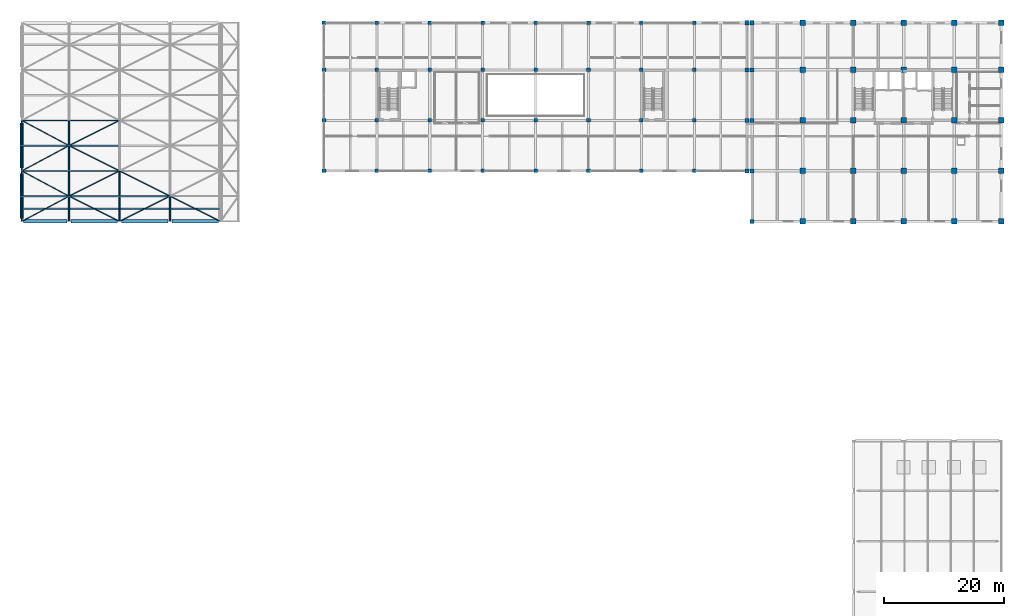
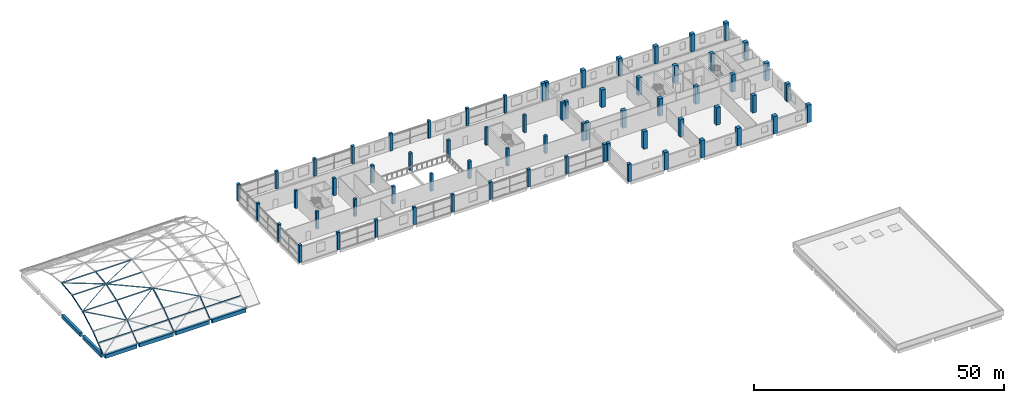
# One storey, part 1 of 38: 66 columns, 21 beams, 20 members.
"""IFC4 building model written with IfcOpenShell, lengths in metres."""

from ifc_helpers import new_model, si_unit, direction, frame, origin, origin_2d, place, context, subcontext, project, spatial, rectangle, hollow_rectangle, hollow_circle, i_section, extrude, material, material_profile, profile_set, type_object, element, save


model = new_model("IFC4")

# Units and contexts
model_context = context("Model", 3, precision=1e-05, world=origin(), true_north=direction((0.0, 1.0)))
body_context = subcontext(model_context, "Body", "Model", "MODEL_VIEW")
ifc_project = project(units=[si_unit("LENGTHUNIT", "METRE"), si_unit("AREAUNIT", "SQUARE_METRE"), si_unit("VOLUMEUNIT", "CUBIC_METRE"), si_unit("PLANEANGLEUNIT", "RADIAN"), si_unit("MASSUNIT", "GRAM", prefix="KILO")], contexts=[model_context])

# Site, building, storey
site_placement = place(None, origin())
site = spatial("IfcSite", under=ifc_project, at=site_placement, CompositionType="ELEMENT")
building_placement = place(site_placement, origin())
building = spatial("IfcBuilding", under=site, at=building_placement, Name="Brinegate Botanical Conservatory", CompositionType="ELEMENT")
storey_placement = place(building_placement, frame((0.0, 0.0, 10.199951171875)))
storey = spatial("IfcBuildingStorey", under=building, at=storey_placement, Name="L03", CompositionType="ELEMENT", Elevation=10.199951171875)

# Columns
ifc_material_1 = material(Name="Concrete C50/60", Category="concrete")
ifc_material_profile_1 = material_profile(ifc_material_1, rectangle(XDim=0.699951171875, YDim=0.699951171875, at=origin_2d()), Name="RC COL 700x700")
ifc_profile_set_1 = profile_set([ifc_material_profile_1], Name="Concrete C50/60")
column_type_1 = type_object("IfcColumnType", Name="Col_C-JT", PredefinedType="COLUMN", material=ifc_profile_set_1)
for number, where, z_axis, x_axis, name in (
    (1, (121.14990234375, 86.800048828125, 0.0), (0.0, 0.0, 1.0), (1.0, 0.0, 0.0), "Column C-JT L03 L-15"),
    (2, (121.14990234375, 95.199951171875, 0.0), (0.0, 0.0, 1.0), (1.0, 0.0, 0.0), "Column C-JT L03 M-15"),
    (3, (121.14990234375, 103.60009765625, 0.0), (0.0, 0.0, 1.0), (1.0, 0.0, 0.0), "Column C-JT L03 N-15"),
    (4, (121.14990234375, 111.449951171875, 0.0), (0.0, 0.0, 1.0), (1.0, 0.0, 0.0), "Column C-JT L03 P-15"),
    (5, (122.0, 78.39990234375, 0.0), (0.0, 0.0, 1.0), (1.0, 0.0, 0.0), "Column C-JT L03 K-16"),
    (6, (122.0, 86.800048828125, 0.0), (0.0, 0.0, 1.0), (1.0, 0.0, 0.0), "Column C-JT L03 L-16"),
    (7, (122.0, 95.199951171875, 0.0), (0.0, 0.0, 1.0), (1.0, 0.0, 0.0), "Column C-JT L03 M-16"),
    (8, (122.0, 103.60009765625, 0.0), (0.0, 0.0, 1.0), (1.0, 0.0, 0.0), "Column C-JT L03 N-16"),
    (9, (122.0, 111.449951171875, 0.0), (0.0, 0.0, 1.0), (1.0, 0.0, 0.0), "Column C-JT L03 P-16"),
):
    element("IfcColumn", number, at=place(storey_placement, frame(where, z_axis=z_axis, x_axis=x_axis)), inside=storey, type_object=column_type_1, Name=name, PredefinedType="COLUMN", context=body_context, shape_type="SweptSolid", body=[
        extrude(rectangle(XDim=0.699951171875, YDim=0.699951171875, at=origin_2d()), origin(), (0.0, 0.0, 1.0), 4.260009765625),
    ])
ifc_material_profile_2 = material_profile(ifc_material_1, rectangle(XDim=0.89990234375, YDim=0.89990234375, at=origin_2d()), Name="RC COL 900x900")
ifc_profile_set_2 = profile_set([ifc_material_profile_2], Name="Concrete C50/60")
column_type_2 = type_object("IfcColumnType", Name="Col_C-T2", PredefinedType="COLUMN", material=ifc_profile_set_2)
for number, where, z_axis, x_axis, name in (
    (10, (130.39990234375, 78.39990234375, 0.0), (0.0, 0.0, 1.0), (1.0, 0.0, 0.0), "Column C-T2 L03 K-17"),
    (11, (130.39990234375, 86.800048828125, 0.0), (0.0, 0.0, 1.0), (1.0, 0.0, 0.0), "Column C-T2 L03 L-17"),
    (12, (130.39990234375, 95.199951171875, 0.0), (0.0, 0.0, 1.0), (1.0, 0.0, 0.0), "Column C-T2 L03 M-17"),
    (13, (130.39990234375, 103.60009765625, 0.0), (0.0, 0.0, 1.0), (1.0, 0.0, 0.0), "Column C-T2 L03 N-17"),
    (14, (130.39990234375, 111.449951171875, 0.0), (0.0, 0.0, 1.0), (1.0, 0.0, 0.0), "Column C-T2 L03 P-17"),
    (15, (138.800048828125, 78.39990234375, 0.0), (0.0, 0.0, 1.0), (1.0, 0.0, 0.0), "Column C-T2 L03 K-18"),
    (16, (138.800048828125, 86.800048828125, 0.0), (0.0, 0.0, 1.0), (1.0, 0.0, 0.0), "Column C-T2 L03 L-18"),
    (17, (138.800048828125, 95.199951171875, 0.0), (0.0, 0.0, 1.0), (1.0, 0.0, 0.0), "Column C-T2 L03 M-18"),
    (18, (138.800048828125, 103.60009765625, 0.0), (0.0, 0.0, 1.0), (1.0, 0.0, 0.0), "Column C-T2 L03 N-18"),
    (19, (138.800048828125, 111.449951171875, 0.0), (0.0, 0.0, 1.0), (1.0, 0.0, 0.0), "Column C-T2 L03 P-18"),
    (20, (147.199951171875, 78.39990234375, 0.0), (0.0, 0.0, 1.0), (1.0, 0.0, 0.0), "Column C-T2 L03 K-19"),
    (21, (147.199951171875, 86.800048828125, 0.0), (0.0, 0.0, 1.0), (1.0, 0.0, 0.0), "Column C-T2 L03 L-19"),
    (22, (147.199951171875, 95.199951171875, 0.0), (0.0, 0.0, 1.0), (1.0, 0.0, 0.0), "Column C-T2 L03 M-19"),
    (23, (147.199951171875, 103.60009765625, 0.0), (0.0, 0.0, 1.0), (1.0, 0.0, 0.0), "Column C-T2 L03 N-19"),
    (24, (147.199951171875, 111.449951171875, 0.0), (0.0, 0.0, 1.0), (1.0, 0.0, 0.0), "Column C-T2 L03 P-19"),
    (25, (155.60009765625, 78.39990234375, 0.0), (0.0, 0.0, 1.0), (1.0, 0.0, 0.0), "Column C-T2 L03 K-20"),
    (26, (155.60009765625, 86.800048828125, 0.0), (0.0, 0.0, 1.0), (1.0, 0.0, 0.0), "Column C-T2 L03 L-20"),
    (27, (155.60009765625, 95.199951171875, 0.0), (0.0, 0.0, 1.0), (1.0, 0.0, 0.0), "Column C-T2 L03 M-20"),
    (28, (155.60009765625, 103.60009765625, 0.0), (0.0, 0.0, 1.0), (1.0, 0.0, 0.0), "Column C-T2 L03 N-20"),
    (29, (155.60009765625, 111.449951171875, 0.0), (0.0, 0.0, 1.0), (1.0, 0.0, 0.0), "Column C-T2 L03 P-20"),
    (30, (163.449951171875, 78.39990234375, 0.0), (0.0, 0.0, 1.0), (1.0, 0.0, 0.0), "Column C-T2 L03 K-21"),
    (31, (163.449951171875, 86.800048828125, 0.0), (0.0, 0.0, 1.0), (1.0, 0.0, 0.0), "Column C-T2 L03 L-21"),
    (32, (163.449951171875, 95.199951171875, 0.0), (0.0, 0.0, 1.0), (1.0, 0.0, 0.0), "Column C-T2 L03 M-21"),
    (33, (163.449951171875, 103.60009765625, 0.0), (0.0, 0.0, 1.0), (1.0, 0.0, 0.0), "Column C-T2 L03 N-21"),
    (34, (163.449951171875, 111.449951171875, 0.0), (0.0, 0.0, 1.0), (1.0, 0.0, 0.0), "Column C-T2 L03 P-21"),
):
    element("IfcColumn", number, at=place(storey_placement, frame(where, z_axis=z_axis, x_axis=x_axis)), inside=storey, type_object=column_type_2, Name=name, PredefinedType="COLUMN", context=body_context, shape_type="SweptSolid", body=[
        extrude(rectangle(XDim=0.89990234375, YDim=0.89990234375, at=origin_2d()), origin(), (0.0, 0.0, 1.0), 4.260009765625),
    ])
ifc_material_2 = material(Name="Concrete C40/50", Category="concrete")
ifc_material_profile_3 = material_profile(ifc_material_2, rectangle(XDim=0.60009765625, YDim=0.60009765625, at=origin_2d()), Name="RC COL 600x600")
ifc_profile_set_3 = profile_set([ifc_material_profile_3], Name="Concrete C40/50")
column_type_3 = type_object("IfcColumnType", Name="Col_C-W2", PredefinedType="COLUMN", material=ifc_profile_set_3)
for number, where, z_axis, x_axis, name in (
    (35, (50.800048828125, 86.800048828125, 0.0), (0.0, 0.0, 1.0), (1.0, 0.0, 0.0), "Column C-W2 L03 L-7"),
    (36, (50.800048828125, 95.199951171875, 0.0), (0.0, 0.0, 1.0), (1.0, 0.0, 0.0), "Column C-W2 L03 M-7"),
    (37, (50.800048828125, 103.60009765625, 0.0), (0.0, 0.0, 1.0), (1.0, 0.0, 0.0), "Column C-W2 L03 N-7"),
    (38, (50.800048828125, 111.449951171875, 0.0), (0.0, 0.0, 1.0), (1.0, 0.0, 0.0), "Column C-W2 L03 P-7"),
    (39, (59.60009765625, 86.800048828125, 0.0), (0.0, 0.0, 1.0), (1.0, 0.0, 0.0), "Column C-W2 L03 L-8"),
    (40, (59.60009765625, 95.199951171875, 0.0), (0.0, 0.0, 1.0), (1.0, 0.0, 0.0), "Column C-W2 L03 M-8"),
    (41, (59.60009765625, 103.60009765625, 0.0), (0.0, 0.0, 1.0), (1.0, 0.0, 0.0), "Column C-W2 L03 N-8"),
    (42, (59.60009765625, 111.449951171875, 0.0), (0.0, 0.0, 1.0), (1.0, 0.0, 0.0), "Column C-W2 L03 P-8"),
    (43, (68.39990234375, 86.800048828125, 0.0), (0.0, 0.0, 1.0), (1.0, 0.0, 0.0), "Column C-W2 L03 L-9"),
    (44, (68.39990234375, 95.199951171875, 0.0), (0.0, 0.0, 1.0), (1.0, 0.0, 0.0), "Column C-W2 L03 M-9"),
    (45, (68.39990234375, 103.60009765625, 0.0), (0.0, 0.0, 1.0), (1.0, 0.0, 0.0), "Column C-W2 L03 N-9"),
    (46, (68.39990234375, 111.449951171875, 0.0), (0.0, 0.0, 1.0), (1.0, 0.0, 0.0), "Column C-W2 L03 P-9"),
    (47, (77.199951171875, 86.800048828125, 0.0), (0.0, 0.0, 1.0), (1.0, 0.0, 0.0), "Column C-W2 L03 L-10"),
    (48, (77.199951171875, 95.199951171875, 0.0), (0.0, 0.0, 1.0), (1.0, 0.0, 0.0), "Column C-W2 L03 M-10"),
    (49, (77.199951171875, 103.60009765625, 0.0), (0.0, 0.0, 1.0), (1.0, 0.0, 0.0), "Column C-W2 L03 N-10"),
    (50, (77.199951171875, 111.449951171875, 0.0), (0.0, 0.0, 1.0), (1.0, 0.0, 0.0), "Column C-W2 L03 P-10"),
    (51, (86.0, 86.800048828125, 0.0), (0.0, 0.0, 1.0), (1.0, 0.0, 0.0), "Column C-W2 L03 L-11"),
    (52, (86.0, 95.199951171875, 0.0), (0.0, 0.0, 1.0), (1.0, 0.0, 0.0), "Column C-W2 L03 M-11"),
    (53, (86.0, 103.60009765625, 0.0), (0.0, 0.0, 1.0), (1.0, 0.0, 0.0), "Column C-W2 L03 N-11"),
    (54, (86.0, 111.449951171875, 0.0), (0.0, 0.0, 1.0), (1.0, 0.0, 0.0), "Column C-W2 L03 P-11"),
    (55, (94.800048828125, 86.800048828125, 0.0), (0.0, 0.0, 1.0), (1.0, 0.0, 0.0), "Column C-W2 L03 L-12"),
    (56, (94.800048828125, 95.199951171875, 0.0), (0.0, 0.0, 1.0), (1.0, 0.0, 0.0), "Column C-W2 L03 M-12"),
    (57, (94.800048828125, 103.60009765625, 0.0), (0.0, 0.0, 1.0), (1.0, 0.0, 0.0), "Column C-W2 L03 N-12"),
    (58, (94.800048828125, 111.449951171875, 0.0), (0.0, 0.0, 1.0), (1.0, 0.0, 0.0), "Column C-W2 L03 P-12"),
    (59, (103.60009765625, 86.800048828125, 0.0), (0.0, 0.0, 1.0), (1.0, 0.0, 0.0), "Column C-W2 L03 L-13"),
    (60, (103.60009765625, 95.199951171875, 0.0), (0.0, 0.0, 1.0), (1.0, 0.0, 0.0), "Column C-W2 L03 M-13"),
    (61, (103.60009765625, 103.60009765625, 0.0), (0.0, 0.0, 1.0), (1.0, 0.0, 0.0), "Column C-W2 L03 N-13"),
    (62, (103.60009765625, 111.449951171875, 0.0), (0.0, 0.0, 1.0), (1.0, 0.0, 0.0), "Column C-W2 L03 P-13"),
    (63, (112.39990234375, 86.800048828125, 0.0), (0.0, 0.0, 1.0), (1.0, 0.0, 0.0), "Column C-W2 L03 L-14"),
    (64, (112.39990234375, 95.199951171875, 0.0), (0.0, 0.0, 1.0), (1.0, 0.0, 0.0), "Column C-W2 L03 M-14"),
    (65, (112.39990234375, 103.60009765625, 0.0), (0.0, 0.0, 1.0), (1.0, 0.0, 0.0), "Column C-W2 L03 N-14"),
    (66, (112.39990234375, 111.449951171875, 0.0), (0.0, 0.0, 1.0), (1.0, 0.0, 0.0), "Column C-W2 L03 P-14"),
):
    element("IfcColumn", number, at=place(storey_placement, frame(where, z_axis=z_axis, x_axis=x_axis)), inside=storey, type_object=column_type_3, Name=name, PredefinedType="COLUMN", context=body_context, shape_type="SweptSolid", body=[
        extrude(rectangle(XDim=0.60009765625, YDim=0.60009765625, at=origin_2d()), origin(), (0.0, 0.0, 1.0), 4.260009765625),
    ])

# Beams
ifc_material_3 = material(Name="Structural steel Q355B / S355", Category="steel")
ifc_material_profile_4 = material_profile(ifc_material_3, hollow_circle(Radius=0.16259765625, WallThickness=0.013916015625, at=origin_2d()), Name="CHS 325x14")
ifc_profile_set_4 = profile_set([ifc_material_profile_4], Name="Structural steel Q355B / S355")
beam_type_1 = type_object("IfcBeamType", Name="Beam_GA-01", PredefinedType="BEAM", material=ifc_profile_set_4)
beam_1_placement = place(storey_placement, frame((8.39990234375, 78.39990234375, -0.162353515625), z_axis=(0.0, 0.788060484475, 0.615597817418), x_axis=(-1.0, 0.0, 0.0)))
element("IfcBeam", 67, at=beam_1_placement, inside=storey, type_object=beam_type_1, Name="Conservatory vault arch rib GA-01 WP-010-WP-011", PredefinedType="BEAM", context=body_context, shape_type="SweptSolid", body=[
    extrude(hollow_circle(Radius=0.16259765625, WallThickness=0.013916015625, at=origin_2d()), origin(), (0.0, 0.0, 1.0), 5.329833984375),
])
beam_2_placement = place(storey_placement, frame((8.39990234375, 82.60009765625, 3.11865234375), z_axis=(0.0, 0.873212270068, 0.487340057253), x_axis=(-1.0, 0.0, 0.0)))
element("IfcBeam", 68, at=beam_2_placement, inside=storey, type_object=beam_type_1, Name="Conservatory vault arch rib GA-01 WP-011-WP-012", PredefinedType="BEAM", context=body_context, shape_type="SweptSolid", body=[
    extrude(hollow_circle(Radius=0.16259765625, WallThickness=0.013916015625, at=origin_2d()), origin(), (0.0, 0.0, 1.0), 4.809814453125),
])
beam_3_placement = place(storey_placement, frame((8.39990234375, 86.800048828125, 5.462646484375), z_axis=(0.0, 0.948274601339, 0.317451225316), x_axis=(-1.0, 0.0, 0.0)))
element("IfcBeam", 69, at=beam_3_placement, inside=storey, type_object=beam_type_1, Name="Conservatory vault arch rib GA-01 WP-012-WP-013", PredefinedType="BEAM", context=body_context, shape_type="SweptSolid", body=[
    extrude(hollow_circle(Radius=0.16259765625, WallThickness=0.013916015625, at=origin_2d()), origin(), (0.0, 0.0, 1.0), 4.428955078125),
])
beam_4_placement = place(storey_placement, frame((8.39990234375, 91.0, 6.86865234375), z_axis=(0.0, 0.99382299669, 0.110976805013), x_axis=(-1.0, 0.0, 0.0)))
element("IfcBeam", 70, at=beam_4_placement, inside=storey, type_object=beam_type_1, Name="Conservatory vault arch rib GA-01 WP-013-WP-014", PredefinedType="BEAM", context=body_context, shape_type="SweptSolid", body=[
    extrude(hollow_circle(Radius=0.16259765625, WallThickness=0.013916015625, at=origin_2d()), origin(), (0.0, 0.0, 1.0), 4.22607421875),
])
ifc_material_profile_5 = material_profile(ifc_material_3, hollow_circle(Radius=0.136474609375, WallThickness=0.011962890625, at=origin_2d()), Name="CHS 273x12")
ifc_profile_set_5 = profile_set([ifc_material_profile_5], Name="Structural steel Q355B / S355")
beam_type_2 = type_object("IfcBeamType", Name="Beam_GA-02", PredefinedType="BEAM", material=ifc_profile_set_5)
beam_5_placement = place(storey_placement, frame((0.550048828125, 78.39990234375, -0.136474609375), z_axis=(0.0, 0.788038262404, 0.615626264049), x_axis=(-1.0, 0.0, 0.0)))
element("IfcBeam", 71, at=beam_5_placement, inside=storey, type_object=beam_type_2, Name="Conservatory vault arch rib GA-02 WP-001-WP-002", PredefinedType="BEAM", context=body_context, shape_type="SweptSolid", body=[
    extrude(hollow_circle(Radius=0.136474609375, WallThickness=0.011962890625, at=origin_2d()), origin(), (0.0, 0.0, 1.0), 5.329833984375),
])
beam_6_placement = place(storey_placement, frame((0.550048828125, 82.60009765625, 3.144775390625), z_axis=(0.0, 0.873233870432, 0.487301351866), x_axis=(-1.0, 0.0, 0.0)))
element("IfcBeam", 72, at=beam_6_placement, inside=storey, type_object=beam_type_2, Name="Conservatory vault arch rib GA-02 WP-002-WP-003", PredefinedType="BEAM", context=body_context, shape_type="SweptSolid", body=[
    extrude(hollow_circle(Radius=0.136474609375, WallThickness=0.011962890625, at=origin_2d()), origin(), (0.0, 0.0, 1.0), 4.8095703125),
])
beam_7_placement = place(storey_placement, frame((0.550048828125, 86.800048828125, 5.488525390625), z_axis=(0.0, 0.948258006718, 0.317500791646), x_axis=(-1.0, 0.0, 0.0)))
element("IfcBeam", 73, at=beam_7_placement, inside=storey, type_object=beam_type_2, Name="Conservatory vault arch rib GA-02 WP-003-WP-004", PredefinedType="BEAM", context=body_context, shape_type="SweptSolid", body=[
    extrude(hollow_circle(Radius=0.136474609375, WallThickness=0.011962890625, at=origin_2d()), origin(), (0.0, 0.0, 1.0), 4.42919921875),
])
beam_8_placement = place(storey_placement, frame((0.550048828125, 91.0, 6.894775390625), z_axis=(0.0, 0.993829366657, 0.110919745625), x_axis=(-1.0, 0.0, 0.0)))
element("IfcBeam", 74, at=beam_8_placement, inside=storey, type_object=beam_type_2, Name="Conservatory vault arch rib GA-02 WP-004-WP-005", PredefinedType="BEAM", context=body_context, shape_type="SweptSolid", body=[
    extrude(hollow_circle(Radius=0.136474609375, WallThickness=0.011962890625, at=origin_2d()), origin(), (0.0, 0.0, 1.0), 4.22607421875),
])
ifc_material_profile_6 = material_profile(ifc_material_3, hollow_circle(Radius=0.1884765625, WallThickness=0.01611328125, at=origin_2d()), Name="CHS 377x16")
ifc_profile_set_6 = profile_set([ifc_material_profile_6], Name="Structural steel Q355B / S355")
beam_type_3 = type_object("IfcBeamType", Name="Beam_GA-03", PredefinedType="BEAM", material=ifc_profile_set_6)
beam_9_placement = place(storey_placement, frame((16.800048828125, 78.39990234375, -0.1884765625), z_axis=(0.0, 0.788038262404, 0.615626264049), x_axis=(-1.0, 0.0, 0.0)))
element("IfcBeam", 75, at=beam_9_placement, inside=storey, type_object=beam_type_3, Name="Conservatory vault arch rib GA-03 WP-019-WP-020", PredefinedType="BEAM", context=body_context, shape_type="SweptSolid", body=[
    extrude(hollow_circle(Radius=0.1884765625, WallThickness=0.01611328125, at=origin_2d()), origin(), (0.0, 0.0, 1.0), 5.329833984375),
])
beam_10_placement = place(storey_placement, frame((16.800048828125, 82.60009765625, 3.0927734375), z_axis=(0.0, 0.873233870432, 0.487301351866), x_axis=(-1.0, 0.0, 0.0)))
element("IfcBeam", 76, at=beam_10_placement, inside=storey, type_object=beam_type_3, Name="Conservatory vault arch rib GA-03 WP-020-WP-021", PredefinedType="BEAM", context=body_context, shape_type="SweptSolid", body=[
    extrude(hollow_circle(Radius=0.1884765625, WallThickness=0.01611328125, at=origin_2d()), origin(), (0.0, 0.0, 1.0), 4.8095703125),
])
beam_11_placement = place(storey_placement, frame((25.199951171875, 78.39990234375, -0.1884765625), z_axis=(0.0, 0.788038262404, 0.615626264049), x_axis=(-1.0, 0.0, 0.0)))
element("IfcBeam", 77, at=beam_11_placement, inside=storey, type_object=beam_type_3, Name="Conservatory vault arch rib GA-03 WP-028-WP-029", PredefinedType="BEAM", context=body_context, shape_type="SweptSolid", body=[
    extrude(hollow_circle(Radius=0.1884765625, WallThickness=0.01611328125, at=origin_2d()), origin(), (0.0, 0.0, 1.0), 5.329833984375),
])
ifc_material_profile_7 = material_profile(ifc_material_2, rectangle(XDim=0.60009765625, YDim=0.89990234375, at=origin_2d()), Name="RC RB 600x900")
ifc_profile_set_7 = profile_set([ifc_material_profile_7], Name="Concrete C40/50")
beam_type_4 = type_object("IfcBeamType", Name="Beam_RB-V1", PredefinedType="BEAM", material=ifc_profile_set_7)
beam_12_placement = place(storey_placement, frame((0.85009765625, 78.39990234375, -0.449951171875), z_axis=(1.0, 0.0, 0.0), x_axis=(0.0, 1.0, 0.0)))
element("IfcBeam", 78, at=beam_12_placement, inside=storey, type_object=beam_type_4, Name="Conservatory vault ring beam RB-V1 south 1", PredefinedType="BEAM", context=body_context, shape_type="SweptSolid", body=[
    extrude(rectangle(XDim=0.60009765625, YDim=0.89990234375, at=origin_2d()), origin(), (0.0, 0.0, 1.0), 7.25),
])
beam_13_placement = place(storey_placement, frame((8.699951171875, 78.39990234375, -0.449951171875), z_axis=(1.0, 0.0, 0.0), x_axis=(0.0, 1.0, 0.0)))
element("IfcBeam", 79, at=beam_13_placement, inside=storey, type_object=beam_type_4, Name="Conservatory vault ring beam RB-V1 south 2", PredefinedType="BEAM", context=body_context, shape_type="SweptSolid", body=[
    extrude(rectangle(XDim=0.60009765625, YDim=0.89990234375, at=origin_2d()), origin(), (0.0, 0.0, 1.0), 7.800048828125),
])
beam_14_placement = place(storey_placement, frame((17.10009765625, 78.39990234375, -0.449951171875), z_axis=(1.0, 0.0, 0.0), x_axis=(0.0, 1.0, 0.0)))
element("IfcBeam", 80, at=beam_14_placement, inside=storey, type_object=beam_type_4, Name="Conservatory vault ring beam RB-V1 south 3", PredefinedType="BEAM", context=body_context, shape_type="SweptSolid", body=[
    extrude(rectangle(XDim=0.60009765625, YDim=0.89990234375, at=origin_2d()), origin(), (0.0, 0.0, 1.0), 7.7998046875),
])
beam_15_placement = place(storey_placement, frame((25.5, 78.39990234375, -0.449951171875), z_axis=(1.0, 0.0, 0.0), x_axis=(0.0, 1.0, 0.0)))
element("IfcBeam", 81, at=beam_15_placement, inside=storey, type_object=beam_type_4, Name="Conservatory vault ring beam RB-V1 south 4", PredefinedType="BEAM", context=body_context, shape_type="SweptSolid", body=[
    extrude(rectangle(XDim=0.60009765625, YDim=0.89990234375, at=origin_2d()), origin(), (0.0, 0.0, 1.0), 7.800048828125),
])
for number, where, z_axis, x_axis, name in (
    (82, (0.550048828125, 78.85009765625, -0.449951171875), (0.0, 1.0, 0.0), (-1.0, 0.0, 0.0), "Conservatory vault ring beam RB-V1 west 1"),
    (83, (0.550048828125, 87.25, -0.449951171875), (0.0, 1.0, 0.0), (-1.0, 0.0, 0.0), "Conservatory vault ring beam RB-V1 west 2"),
):
    element("IfcBeam", number, at=place(storey_placement, frame(where, z_axis=z_axis, x_axis=x_axis)), inside=storey, type_object=beam_type_4, Name=name, PredefinedType="BEAM", context=body_context, shape_type="SweptSolid", body=[
        extrude(rectangle(XDim=0.60009765625, YDim=0.89990234375, at=origin_2d()), origin(), (0.0, 0.0, 1.0), 7.5),
    ])
ifc_material_profile_8 = material_profile(ifc_material_3, i_section(OverallWidth=0.25, OverallDepth=0.340087890625, WebThickness=0.009033203125, FlangeThickness=0.013916015625, at=origin_2d()), Name="HM 340x250x9x14")
ifc_profile_set_8 = profile_set([ifc_material_profile_8], Name="Structural steel Q355B / S355")
beam_type_5 = type_object("IfcBeamType", Name="Beam_SP-03", PredefinedType="SPANDREL", material=ifc_profile_set_8)
beam_16_placement = place(storey_placement, frame((0.6865234375, 80.5, 1.537841796875), z_axis=(1.0, 0.0, 0.0), x_axis=(0.0, 1.0, 0.0)))
element("IfcBeam", 84, at=beam_16_placement, inside=storey, type_object=beam_type_5, Name="Conservatory storm-eave edge beam SP-03 1", PredefinedType="SPANDREL", context=body_context, shape_type="SweptSolid", body=[
    extrude(i_section(OverallWidth=0.25, OverallDepth=0.340087890625, WebThickness=0.009033203125, FlangeThickness=0.013916015625, at=origin_2d()), origin(), (0.0, 0.0, 1.0), 7.551025390625),
])
beam_17_placement = place(storey_placement, frame((8.5625, 80.5, 1.537841796875), z_axis=(1.0, 0.0, 0.0), x_axis=(0.0, 1.0, 0.0)))
element("IfcBeam", 85, at=beam_17_placement, inside=storey, type_object=beam_type_5, Name="Conservatory storm-eave edge beam SP-03 2", PredefinedType="SPANDREL", context=body_context, shape_type="SweptSolid", body=[
    extrude(i_section(OverallWidth=0.25, OverallDepth=0.340087890625, WebThickness=0.009033203125, FlangeThickness=0.013916015625, at=origin_2d()), origin(), (0.0, 0.0, 1.0), 8.049072265625),
])
beam_18_placement = place(storey_placement, frame((16.988525390625, 80.5, 1.537841796875), z_axis=(1.0, 0.0, 0.0), x_axis=(0.0, 1.0, 0.0)))
element("IfcBeam", 86, at=beam_18_placement, inside=storey, type_object=beam_type_5, Name="Conservatory storm-eave edge beam SP-03 3", PredefinedType="SPANDREL", context=body_context, shape_type="SweptSolid", body=[
    extrude(i_section(OverallWidth=0.25, OverallDepth=0.340087890625, WebThickness=0.009033203125, FlangeThickness=0.013916015625, at=origin_2d()), origin(), (0.0, 0.0, 1.0), 8.02294921875),
])
beam_19_placement = place(storey_placement, frame((25.388427734375, 80.5, 1.537841796875), z_axis=(1.0, 0.0, 0.0), x_axis=(0.0, 1.0, 0.0)))
element("IfcBeam", 87, at=beam_19_placement, inside=storey, type_object=beam_type_5, Name="Conservatory storm-eave edge beam SP-03 4", PredefinedType="SPANDREL", context=body_context, shape_type="SweptSolid", body=[
    extrude(i_section(OverallWidth=0.25, OverallDepth=0.340087890625, WebThickness=0.009033203125, FlangeThickness=0.013916015625, at=origin_2d()), origin(), (0.0, 0.0, 1.0), 8.049072265625),
])

# Members
ifc_material_profile_9 = material_profile(ifc_material_3, hollow_circle(Radius=0.083984375, WallThickness=0.008056640625, at=origin_2d()), Name="CHS 168x8")
ifc_profile_set_9 = profile_set([ifc_material_profile_9], Name="Structural steel Q355B / S355")
member_type_1 = type_object("IfcMemberType", Name="Member_GD-01", PredefinedType="BRACE", material=ifc_profile_set_9)
member_1_placement = place(storey_placement, frame((0.550048828125, 78.39990234375, -0.1240234375), z_axis=(0.827309134936, 0.442665578871, 0.345842132388), x_axis=(-0.471777699734, 0.881717529617, 0.0)))
element("IfcMember", 88, at=member_1_placement, inside=storey, type_object=member_type_1, Name="Conservatory gridshell diagrid brace GD-01 WP-001-WP-011", PredefinedType="BRACE", context=body_context, shape_type="SweptSolid", body=[
    extrude(hollow_circle(Radius=0.083984375, WallThickness=0.008056640625, at=origin_2d()), origin(), (0.0, 0.0, 1.0), 9.488525390625),
])
member_2_placement = place(storey_placement, frame((8.39990234375, 82.60009765625, 3.157470703125), z_axis=(-0.852681935115, 0.45621520013, 0.254560815326), x_axis=(-0.471756380315, -0.881728936597, 0.0)))
element("IfcMember", 89, at=member_2_placement, inside=storey, type_object=member_type_1, Name="Conservatory gridshell diagrid brace GD-01 WP-011-WP-003", PredefinedType="BRACE", context=body_context, shape_type="SweptSolid", body=[
    extrude(hollow_circle(Radius=0.083984375, WallThickness=0.008056640625, at=origin_2d()), origin(), (0.0, 0.0, 1.0), 9.2060546875),
])
member_3_placement = place(storey_placement, frame((0.550048828125, 86.800048828125, 5.5009765625), z_axis=(0.870927289246, 0.465977114325, 0.156048023928), x_axis=(-0.471756380315, 0.881728936597, 0.0)))
element("IfcMember", 90, at=member_3_placement, inside=storey, type_object=member_type_1, Name="Conservatory gridshell diagrid brace GD-01 WP-003-WP-013", PredefinedType="BRACE", context=body_context, shape_type="SweptSolid", body=[
    extrude(hollow_circle(Radius=0.083984375, WallThickness=0.008056640625, at=origin_2d()), origin(), (0.0, 0.0, 1.0), 9.01318359375),
])
member_4_placement = place(storey_placement, frame((8.39990234375, 91.0, 6.907470703125), z_axis=(-0.880510560575, 0.471104505756, 0.052551854127), x_axis=(-0.471756380315, -0.881728936597, 0.0)))
element("IfcMember", 91, at=member_4_placement, inside=storey, type_object=member_type_1, Name="Conservatory gridshell diagrid brace GD-01 WP-013-WP-005", PredefinedType="BRACE", context=body_context, shape_type="SweptSolid", body=[
    extrude(hollow_circle(Radius=0.083984375, WallThickness=0.008056640625, at=origin_2d()), origin(), (0.0, 0.0, 1.0), 8.9150390625),
])
member_5_placement = place(storey_placement, frame((16.800048828125, 78.39990234375, -0.1240234375), z_axis=(-0.844364597966, 0.422194569227, 0.329848709892), x_axis=(-0.44722399361, -0.89442199187, 0.0)))
element("IfcMember", 92, at=member_5_placement, inside=storey, type_object=member_type_1, Name="Conservatory gridshell diagrid brace GD-01 WP-019-WP-011", PredefinedType="BRACE", context=body_context, shape_type="SweptSolid", body=[
    extrude(hollow_circle(Radius=0.083984375, WallThickness=0.008056640625, at=origin_2d()), origin(), (0.0, 0.0, 1.0), 9.948486328125),
])
member_6_placement = place(storey_placement, frame((8.39990234375, 82.60009765625, 3.157470703125), z_axis=(0.86782230022, 0.43389853898, 0.242108473852), x_axis=(-0.447203197209, 0.89443239007, 0.0)))
element("IfcMember", 93, at=member_6_placement, inside=storey, type_object=member_type_1, Name="Conservatory gridshell diagrid brace GD-01 WP-011-WP-021", PredefinedType="BRACE", context=body_context, shape_type="SweptSolid", body=[
    extrude(hollow_circle(Radius=0.083984375, WallThickness=0.008056640625, at=origin_2d()), origin(), (0.0, 0.0, 1.0), 9.6796875),
])
member_7_placement = place(storey_placement, frame((16.800048828125, 86.800048828125, 5.5009765625), z_axis=(-0.884567702003, 0.442270996528, 0.1481092374), x_axis=(-0.447203197209, -0.89443239007, 0.0)))
element("IfcMember", 94, at=member_7_placement, inside=storey, type_object=member_type_1, Name="Conservatory gridshell diagrid brace GD-01 WP-021-WP-013", PredefinedType="BRACE", context=body_context, shape_type="SweptSolid", body=[
    extrude(hollow_circle(Radius=0.083984375, WallThickness=0.008056640625, at=origin_2d()), origin(), (0.0, 0.0, 1.0), 9.496337890625),
])
member_8_placement = place(storey_placement, frame((8.39990234375, 91.0, 6.907470703125), z_axis=(0.893321530313, 0.446647783474, 0.04982369915), x_axis=(-0.447203197209, 0.89443239007, 0.0)))
element("IfcMember", 95, at=member_8_placement, inside=storey, type_object=member_type_1, Name="Conservatory gridshell diagrid brace GD-01 WP-013-WP-023", PredefinedType="BRACE", context=body_context, shape_type="SweptSolid", body=[
    extrude(hollow_circle(Radius=0.083984375, WallThickness=0.008056640625, at=origin_2d()), origin(), (0.0, 0.0, 1.0), 9.4033203125),
])
member_9_placement = place(storey_placement, frame((16.800048828125, 78.39990234375, -0.1240234375), z_axis=(0.844357553438, 0.422203317716, 0.32985554484), x_axis=(-0.447234392142, 0.894416792377, 0.0)))
element("IfcMember", 96, at=member_9_placement, inside=storey, type_object=member_type_1, Name="Conservatory gridshell diagrid brace GD-01 WP-019-WP-029", PredefinedType="BRACE", context=body_context, shape_type="SweptSolid", body=[
    extrude(hollow_circle(Radius=0.083984375, WallThickness=0.008056640625, at=origin_2d()), origin(), (0.0, 0.0, 1.0), 9.9482421875),
])
member_10_placement = place(storey_placement, frame((25.199951171875, 82.60009765625, 3.157470703125), z_axis=(-0.867816073032, 0.433908036516, 0.242113773325), x_axis=(-0.4472135955, -0.894427191, 0.0)))
element("IfcMember", 97, at=member_10_placement, inside=storey, type_object=member_type_1, Name="Conservatory gridshell diagrid brace GD-01 WP-029-WP-021", PredefinedType="BRACE", context=body_context, shape_type="SweptSolid", body=[
    extrude(hollow_circle(Radius=0.083984375, WallThickness=0.008056640625, at=origin_2d()), origin(), (0.0, 0.0, 1.0), 9.679443359375),
])
member_11_placement = place(storey_placement, frame((33.60009765625, 78.39990234375, -0.1240234375), z_axis=(-0.844364597966, 0.422194569227, 0.329848709892), x_axis=(-0.44722399361, -0.89442199187, 0.0)))
element("IfcMember", 98, at=member_11_placement, inside=storey, type_object=member_type_1, Name="Conservatory gridshell diagrid brace GD-01 WP-037-WP-029", PredefinedType="BRACE", context=body_context, shape_type="SweptSolid", body=[
    extrude(hollow_circle(Radius=0.083984375, WallThickness=0.008056640625, at=origin_2d()), origin(), (0.0, 0.0, 1.0), 9.948486328125),
])
ifc_material_profile_10 = material_profile(ifc_material_3, hollow_rectangle(XDim=0.199951171875, YDim=0.199951171875, WallThickness=0.010009765625, at=origin_2d()), Name="SHS 200x200x10")
ifc_profile_set_10 = profile_set([ifc_material_profile_10], Name="Structural steel Q355B / S355")
member_type_2 = type_object("IfcMemberType", Name="Member_GP-01", PredefinedType="PURLIN", material=ifc_profile_set_10)
member_12_placement = place(storey_placement, frame((0.550048828125, 82.60009765625, 3.11328125), z_axis=(1.0, 0.0, 0.0), x_axis=(0.0, 1.0, 0.0)))
element("IfcMember", 99, at=member_12_placement, inside=storey, type_object=member_type_2, Name="Conservatory gridshell purlin GP-01 WP-002-WP-011", PredefinedType="PURLIN", context=body_context, shape_type="SweptSolid", body=[
    extrude(hollow_rectangle(XDim=0.199951171875, YDim=0.199951171875, WallThickness=0.010009765625, at=origin_2d()), origin(), (0.0, 0.0, 1.0), 7.849853515625),
])
member_13_placement = place(storey_placement, frame((8.39990234375, 82.60009765625, 3.11328125), z_axis=(1.0, 0.0, 0.0), x_axis=(0.0, 1.0, 0.0)))
element("IfcMember", 100, at=member_13_placement, inside=storey, type_object=member_type_2, Name="Conservatory gridshell purlin GP-01 WP-011-WP-020", PredefinedType="PURLIN", context=body_context, shape_type="SweptSolid", body=[
    extrude(hollow_rectangle(XDim=0.199951171875, YDim=0.199951171875, WallThickness=0.010009765625, at=origin_2d()), origin(), (0.0, 0.0, 1.0), 8.400146484375),
])
member_14_placement = place(storey_placement, frame((16.800048828125, 82.60009765625, 3.11328125), z_axis=(1.0, 0.0, 0.0), x_axis=(0.0, 1.0, 0.0)))
element("IfcMember", 101, at=member_14_placement, inside=storey, type_object=member_type_2, Name="Conservatory gridshell purlin GP-01 WP-020-WP-029", PredefinedType="PURLIN", context=body_context, shape_type="SweptSolid", body=[
    extrude(hollow_rectangle(XDim=0.199951171875, YDim=0.199951171875, WallThickness=0.010009765625, at=origin_2d()), origin(), (0.0, 0.0, 1.0), 8.39990234375),
])
member_15_placement = place(storey_placement, frame((0.550048828125, 86.800048828125, 5.45703125), z_axis=(1.0, 0.0, 0.0), x_axis=(0.0, 1.0, 0.0)))
element("IfcMember", 102, at=member_15_placement, inside=storey, type_object=member_type_2, Name="Conservatory gridshell purlin GP-01 WP-003-WP-012", PredefinedType="PURLIN", context=body_context, shape_type="SweptSolid", body=[
    extrude(hollow_rectangle(XDim=0.199951171875, YDim=0.199951171875, WallThickness=0.010009765625, at=origin_2d()), origin(), (0.0, 0.0, 1.0), 7.849853515625),
])
member_16_placement = place(storey_placement, frame((8.39990234375, 86.800048828125, 5.45703125), z_axis=(1.0, 0.0, 0.0), x_axis=(0.0, 1.0, 0.0)))
element("IfcMember", 103, at=member_16_placement, inside=storey, type_object=member_type_2, Name="Conservatory gridshell purlin GP-01 WP-012-WP-021", PredefinedType="PURLIN", context=body_context, shape_type="SweptSolid", body=[
    extrude(hollow_rectangle(XDim=0.199951171875, YDim=0.199951171875, WallThickness=0.010009765625, at=origin_2d()), origin(), (0.0, 0.0, 1.0), 8.400146484375),
])
member_17_placement = place(storey_placement, frame((0.550048828125, 91.0, 6.86328125), z_axis=(1.0, 0.0, 0.0), x_axis=(0.0, 1.0, 0.0)))
element("IfcMember", 104, at=member_17_placement, inside=storey, type_object=member_type_2, Name="Conservatory gridshell purlin GP-01 WP-004-WP-013", PredefinedType="PURLIN", context=body_context, shape_type="SweptSolid", body=[
    extrude(hollow_rectangle(XDim=0.199951171875, YDim=0.199951171875, WallThickness=0.010009765625, at=origin_2d()), origin(), (0.0, 0.0, 1.0), 7.849853515625),
])
member_18_placement = place(storey_placement, frame((8.39990234375, 91.0, 6.86328125), z_axis=(1.0, 0.0, 0.0), x_axis=(0.0, 1.0, 0.0)))
element("IfcMember", 105, at=member_18_placement, inside=storey, type_object=member_type_2, Name="Conservatory gridshell purlin GP-01 WP-013-WP-022", PredefinedType="PURLIN", context=body_context, shape_type="SweptSolid", body=[
    extrude(hollow_rectangle(XDim=0.199951171875, YDim=0.199951171875, WallThickness=0.010009765625, at=origin_2d()), origin(), (0.0, 0.0, 1.0), 8.400146484375),
])
member_19_placement = place(storey_placement, frame((0.550048828125, 95.199951171875, 7.33203125), z_axis=(1.0, 0.0, 0.0), x_axis=(0.0, 1.0, 0.0)))
element("IfcMember", 106, at=member_19_placement, inside=storey, type_object=member_type_2, Name="Conservatory gridshell purlin GP-01 WP-005-WP-014", PredefinedType="PURLIN", context=body_context, shape_type="SweptSolid", body=[
    extrude(hollow_rectangle(XDim=0.199951171875, YDim=0.199951171875, WallThickness=0.010009765625, at=origin_2d()), origin(), (0.0, 0.0, 1.0), 7.849853515625),
])
member_20_placement = place(storey_placement, frame((8.39990234375, 95.199951171875, 7.33203125), z_axis=(1.0, 0.0, 0.0), x_axis=(0.0, 1.0, 0.0)))
element("IfcMember", 107, at=member_20_placement, inside=storey, type_object=member_type_2, Name="Conservatory gridshell purlin GP-01 WP-014-WP-023", PredefinedType="PURLIN", context=body_context, shape_type="SweptSolid", body=[
    extrude(hollow_rectangle(XDim=0.199951171875, YDim=0.199951171875, WallThickness=0.010009765625, at=origin_2d()), origin(), (0.0, 0.0, 1.0), 8.400146484375),
])

save(model, "model.ifc")
